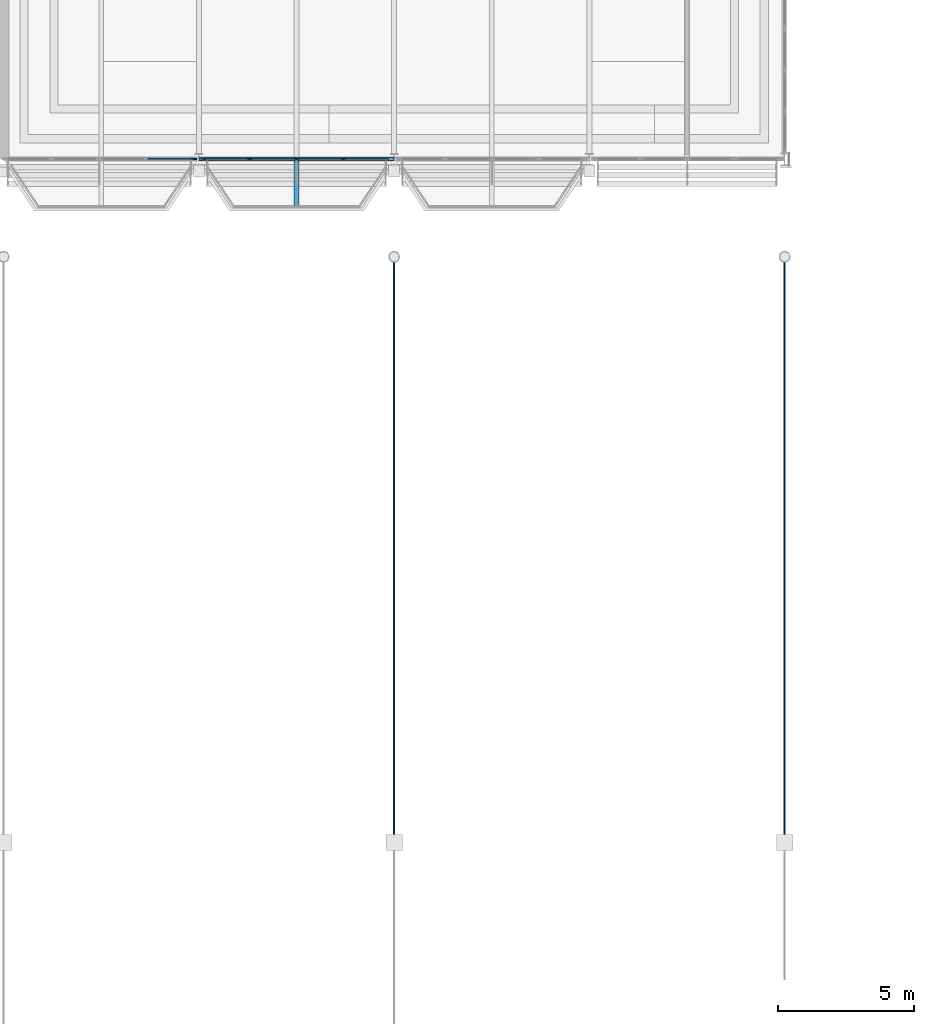
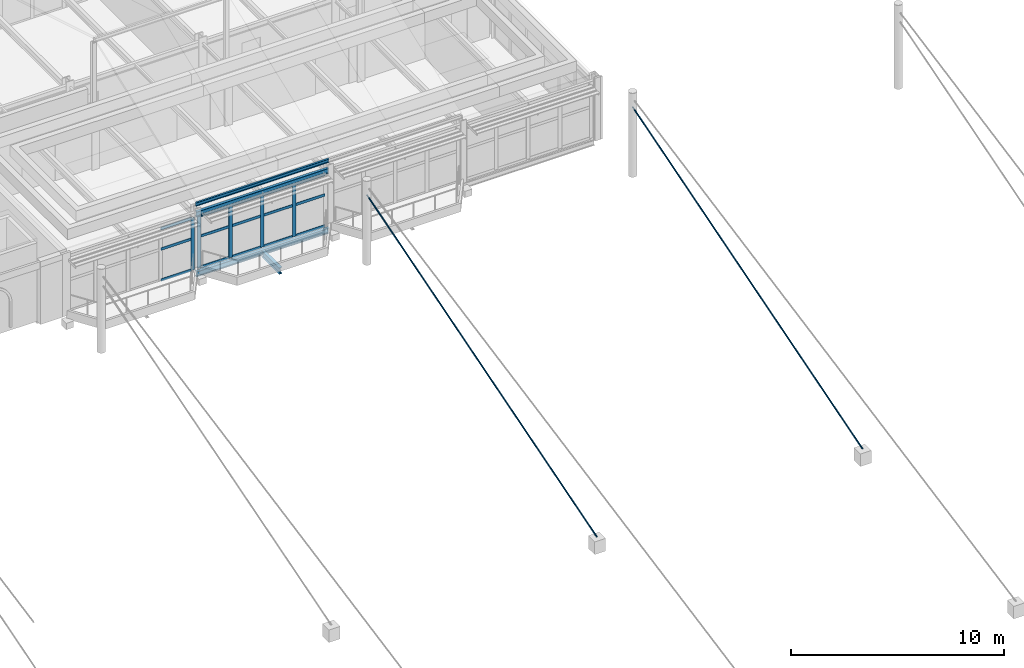
# One storey, part 33 of 68: 22 members, 4 beams, 2 elements without a shape of their own.
"""IFC4 building model written with IfcOpenShell, lengths in metres."""

import ifcopenshell
import ifcopenshell.guid

model = None  # the IFC model being written
_history = None  # IfcOwnerHistory: only IFC2X3 demands one
_inside = {}  # id of a spatial element -> (the spatial element, [elements in it])
_under = {}  # id of a project, library or spatial element -> (it, [spatial elements below it])
_declared = {}  # id of a project -> (the project, [libraries it declares])
_typed = {}  # id of a type object -> (the type object, [elements of that type])
_made_of = {}  # id of a material, layer set ... -> (it, [elements and type objects made of it])


def new_model(schema):
    """Start an empty IFC model of exactly this schema.

    Asked for "IFC4X3", IfcOpenShell would pick the latest addendum, in which some entities
    have other attributes; the version numbers below select the first issue.
    IFC2X3 requires an IfcOwnerHistory on every rooted entity: one is made here for all.
    """
    global model, _history
    if schema == "IFC4X3":
        model = ifcopenshell.file(schema_version=(4, 3, 0, 0))
    else:
        model = ifcopenshell.file(schema=schema)
    _inside.clear()
    _under.clear()
    _declared.clear()
    _typed.clear()
    _made_of.clear()
    _history = None
    if model.schema == "IFC2X3":
        org = make("IfcOrganization", Name="unknown")
        user = make(
            "IfcPersonAndOrganization",
            ThePerson=make("IfcPerson", FamilyName="unknown"),
            TheOrganization=org,
        )
        app = make(
            "IfcApplication",
            ApplicationDeveloper=org,
            Version="unknown",
            ApplicationFullName="unknown",
            ApplicationIdentifier="unknown",
        )
        _history = make(
            "IfcOwnerHistory",
            OwningUser=user,
            OwningApplication=app,
            ChangeAction="ADDED",
            CreationDate=0,
        )
    return model


def make(cls, **values):
    """One entity of the class cls with the attributes given. An attribute that is None is left unset."""
    return model.create_entity(
        cls, **{name: value for name, value in values.items() if value is not None}
    )


def rooted(cls, **values):
    """An entity with a GlobalId (a new one), such as an element, a storey or a relation."""
    return make(cls, GlobalId=ifcopenshell.guid.new(), OwnerHistory=_history, **values)


def si_unit(unit_type, name, prefix=None):
    """IfcSIUnit, for example si_unit("LENGTHUNIT", "METRE", prefix="MILLI")."""
    return make("IfcSIUnit", UnitType=unit_type, Prefix=prefix, Name=name)


def assignment(units):
    """IfcUnitAssignment: the units of a project."""
    return None if units is None else make("IfcUnitAssignment", Units=units)


def point(xyz):
    """IfcCartesianPoint."""
    return None if xyz is None else make("IfcCartesianPoint", Coordinates=xyz)


def direction(xyz):
    """IfcDirection."""
    return None if xyz is None else make("IfcDirection", DirectionRatios=xyz)


def frame(location, z_axis=None, x_axis=None):
    """IfcAxis2Placement3D, a coordinate frame: its origin and axes. An axis left out is left unset."""
    return make(
        "IfcAxis2Placement3D",
        Location=point(location),
        Axis=direction(z_axis),
        RefDirection=direction(x_axis),
    )


def frame_2d(location, x_axis=None):
    """IfcAxis2Placement2D, a coordinate frame in the plane: its origin and x axis."""
    return make(
        "IfcAxis2Placement2D", Location=point(location), RefDirection=direction(x_axis)
    )


def origin():
    """The frame at (0, 0, 0) with its axes left unset."""
    return frame((0.0, 0.0, 0.0))


def origin_2d():
    """The frame at (0, 0) in the plane with its x axis left unset."""
    return frame_2d((0.0, 0.0))


def place(relative_to, where):
    """IfcLocalPlacement: puts the frame where relative to a parent placement (None: the world)."""
    return make(
        "IfcLocalPlacement", PlacementRelTo=relative_to, RelativePlacement=where
    )


def context(
    kind, dimensions, precision=None, world=None, true_north=None, identifier=None
):
    """IfcGeometricRepresentationContext, for example the 3D "Model" context."""
    return make(
        "IfcGeometricRepresentationContext",
        ContextIdentifier=identifier,
        ContextType=kind,
        CoordinateSpaceDimension=dimensions,
        Precision=precision,
        WorldCoordinateSystem=world,
        TrueNorth=true_north,
    )


def subcontext(parent, identifier, kind, view, scale=None):
    """IfcGeometricRepresentationSubContext, for example "Body" below "Model"."""
    return make(
        "IfcGeometricRepresentationSubContext",
        ContextIdentifier=identifier,
        ContextType=kind,
        ParentContext=parent,
        TargetScale=scale,
        TargetView=view,
    )


def project(units=None, contexts=None):
    """IfcProject with its units and contexts."""
    return rooted(
        "IfcProject",
        Name="project",
        RepresentationContexts=contexts,
        UnitsInContext=assignment(units),
    )


def spatial(cls, under=None, at=None, **own):
    """A site, building, storey or space (cls), placed at a placement, below another one or the project."""
    s = rooted(cls, ObjectPlacement=at, **own)
    if under is not None:
        _under.setdefault(under.id(), (under, []))[1].append(s)
    return s


def profile(cls, at=None, kind="AREA", **sizes):
    """A parametric profile (cls). Its sizes go by their IFC names, for example OverallWidth=200.0."""
    return make(cls, ProfileType=kind, Position=at, **sizes)


def rectangle(**sizes):
    """IfcRectangleProfileDef."""
    return profile("IfcRectangleProfileDef", **sizes)


def circle(**sizes):
    """IfcCircleProfileDef."""
    return profile("IfcCircleProfileDef", **sizes)


def i_section(**sizes):
    """IfcIShapeProfileDef."""
    return profile("IfcIShapeProfileDef", **sizes)


def extrude(swept, where, along, depth):
    """IfcExtrudedAreaSolid: the profile swept, set in the frame where, extruded along a direction by depth."""
    return make(
        "IfcExtrudedAreaSolid",
        SweptArea=swept,
        Position=where,
        ExtrudedDirection=direction(along),
        Depth=depth,
    )


def shape(context_of_items, identifier, shape_type, items):
    """IfcShapeRepresentation: the items that make up one representation, for example the "Body"."""
    return make(
        "IfcShapeRepresentation",
        ContextOfItems=context_of_items,
        RepresentationIdentifier=identifier,
        RepresentationType=shape_type,
        Items=items,
    )


def material(Name=None, Category=None):
    """IfcMaterial."""
    return make("IfcMaterial", Name=Name, Category=Category)


def material_profile(
    of_material, cross_section, Name=None, Category=None, Priority=None
):
    """IfcMaterialProfile: a cross section and its material."""
    return make(
        "IfcMaterialProfile",
        Name=Name,
        Material=of_material,
        Profile=cross_section,
        Priority=Priority,
        Category=Category,
    )


def profile_set(profiles, Name=None, composite=None):
    """IfcMaterialProfileSet."""
    return make(
        "IfcMaterialProfileSet",
        Name=Name,
        MaterialProfiles=profiles,
        CompositeProfile=composite,
    )


def made_of(thing, what):
    """Note that an element or type object is made of a material, layer set ...; save() writes the relation."""
    if what is not None:
        _made_of.setdefault(what.id(), (what, []))[1].append(thing)
    return thing


def type_object(cls, material=None, **own):
    """A type object (cls), such as IfcWallType, which elements share."""
    return made_of(rooted(cls, **own), material)


def element(
    cls,
    number,
    at=None,
    inside=None,
    cuts=None,
    type_object=None,
    material=None,
    context=None,
    identifier="Body",
    shape_type=None,
    held_by="IfcProductDefinitionShape",
    body=None,
    shapes=None,
    **own,
):
    """One element of the class cls, such as IfcWall. Its Tag is "e" and its number.

    at: its placement. inside: the storey or other place that contains it. cuts: it is an
    opening in that element (IfcRelVoidsElement). A single representation is given by context,
    identifier, shape_type and body (its items); several are given by shapes. held_by: the class
    of the entity that holds the representations. save() writes the other relations.
    """
    e = rooted(cls, Tag="e%d" % number, ObjectPlacement=at, **own)
    if body is not None:
        shapes = [shape(context, identifier, shape_type, body)]
    if shapes is not None:
        e.Representation = make(held_by, Representations=shapes)
    if inside is not None:
        _inside.setdefault(inside.id(), (inside, []))[1].append(e)
    if cuts is not None:
        rooted(
            "IfcRelVoidsElement", RelatingBuildingElement=cuts, RelatedOpeningElement=e
        )
    if type_object is not None:
        _typed.setdefault(type_object.id(), (type_object, []))[1].append(e)
    return made_of(e, material)


def aggregate(whole, parts):
    """IfcRelAggregates: a whole, such as a stair, and the parts it consists of."""
    return rooted("IfcRelAggregates", RelatingObject=whole, RelatedObjects=parts)


def save(model, path):
    """Write the relations noted so far, then the file.

    IfcRelAggregates (storeys below a building ...), IfcRelContainedInSpatialStructure (elements
    in a storey), IfcRelDefinesByType, IfcRelAssociatesMaterial and IfcRelDeclares: one each for
    every whole, place, type object, material and project.
    """
    for whole, parts in _under.values():
        aggregate(whole, parts)
    for where, things in _inside.values():
        rooted(
            "IfcRelContainedInSpatialStructure",
            RelatedElements=things,
            RelatingStructure=where,
        )
    for kind, things in _typed.values():
        rooted("IfcRelDefinesByType", RelatedObjects=things, RelatingType=kind)
    for what, things in _made_of.values():
        rooted("IfcRelAssociatesMaterial", RelatedObjects=things, RelatingMaterial=what)
    for by, libraries in _declared.values():
        rooted("IfcRelDeclares", RelatingContext=by, RelatedDefinitions=libraries)
    model.write(path)


model = new_model("IFC4")

# Units and contexts
model_context = context("Model", 3, precision=1e-05, world=origin(), true_north=direction((0.0, 1.0)))
body_context = subcontext(model_context, "Body", "Model", "MODEL_VIEW")
ifc_project = project(units=[si_unit("LENGTHUNIT", "METRE"), si_unit("AREAUNIT", "SQUARE_METRE"), si_unit("VOLUMEUNIT", "CUBIC_METRE"), si_unit("PLANEANGLEUNIT", "RADIAN"), si_unit("MASSUNIT", "GRAM", prefix="KILO")], contexts=[model_context])

# Site, building, storey
site_placement = place(None, origin())
site = spatial("IfcSite", under=ifc_project, at=site_placement, CompositionType="ELEMENT")
building_placement = place(site_placement, origin())
building = spatial("IfcBuilding", under=site, at=building_placement, Name="Kupolbacken Congress Centre", CompositionType="ELEMENT")
storey_placement = place(building_placement, frame((0.0, 0.0, 25.199951171875)))
storey = spatial("IfcBuildingStorey", under=building, at=storey_placement, Name="L07", CompositionType="ELEMENT", Elevation=25.199951171875)

# Beams
ifc_material_1 = material(Name="Steel S355", Category="steel")
ifc_material_profile_1 = material_profile(ifc_material_1, i_section(OverallWidth=0.10009765625, OverallDepth=0.199951171875, WebThickness=0.005615234375, FlangeThickness=0.008544921875, FilletRadius=0.011962890625, at=origin_2d()), Name="IPE 200")
ifc_profile_set_1 = profile_set([ifc_material_profile_1], Name="Steel S355")
beam_type_1 = type_object("IfcBeamType", Name="B01 beam IPE 200", PredefinedType="BEAM", material=ifc_profile_set_1)
beam_1_placement = place(storey_placement, frame((115.199951171875, 122.39990234375, 3.699951171875), z_axis=(1.0, 0.0, 0.0), x_axis=(0.0, 1.0, 0.0)))
element("IfcBeam", 1, at=beam_1_placement, inside=storey, type_object=beam_type_1, Name="E/T/roof/R2/low0", PredefinedType="BEAM", context=body_context, shape_type="SweptSolid", body=[
    extrude(i_section(OverallWidth=0.10009765625, OverallDepth=0.199951171875, WebThickness=0.005615234375, FlangeThickness=0.008544921875, FilletRadius=0.011962890625, at=origin_2d()), origin(), (0.0, 0.0, 1.0), 7.199951171875),
])
ifc_material_2 = material(Name="Steel S355", Category="steel")
ifc_material_profile_2 = material_profile(ifc_material_2, i_section(OverallWidth=0.14990234375, OverallDepth=0.300048828125, WebThickness=0.007080078125, FlangeThickness=0.0107421875, FilletRadius=0.014892578125, at=origin_2d()), Name="IPE 300")
ifc_profile_set_2 = profile_set([ifc_material_profile_2], Name="Steel S355")
beam_type_2 = type_object("IfcBeamType", Name="B04 beam IPE 300", PredefinedType="BEAM", material=ifc_profile_set_2)
for number, where, z_axis, x_axis, name in (
    (2, (115.21044921875, 122.39990234375, -0.2900390625), (1.0, 0.0, 0.0), (0.0, 1.0, 0.0), "S/floor/T/L07/R006"),
    (3, (115.21044921875, 122.39990234375, 3.14013671875), (1.0, 0.0, 0.0), (0.0, 1.0, 0.0), "S/floor/T/ROOF/R006"),
):
    element("IfcBeam", number, at=place(storey_placement, frame(where, z_axis=z_axis, x_axis=x_axis)), inside=storey, type_object=beam_type_2, Name=name, PredefinedType="BEAM", context=body_context, shape_type="SweptSolid", body=[
        extrude(i_section(OverallWidth=0.14990234375, OverallDepth=0.300048828125, WebThickness=0.007080078125, FlangeThickness=0.0107421875, FilletRadius=0.014892578125, at=origin_2d()), origin(), (0.0, 0.0, 1.0), 7.178955078125),
    ])
ifc_material_3 = material(Name="Steel S355", Category="steel")
ifc_material_profile_3 = material_profile(ifc_material_3, i_section(OverallWidth=0.169921875, OverallDepth=0.360107421875, WebThickness=0.008056640625, FlangeThickness=0.0126953125, FilletRadius=0.01806640625, at=origin_2d()), Name="IPE 360")
ifc_profile_set_3 = profile_set([ifc_material_profile_3], Name="Steel S355")
beam_type_3 = type_object("IfcBeamType", Name="B06 beam IPE 360", PredefinedType="BEAM", material=ifc_profile_set_3)
beam_2_placement = place(storey_placement, frame((118.800048828125, 122.324951171875, -0.320068359375), z_axis=(0.0, -1.0, 0.0), x_axis=(1.0, 0.0, 0.0)))
element("IfcBeam", 4, at=beam_2_placement, inside=storey, type_object=beam_type_3, Name="S/floor/T/L07/C091", PredefinedType="BEAM", context=body_context, shape_type="SweptSolid", body=[
    extrude(i_section(OverallWidth=0.169921875, OverallDepth=0.360107421875, WebThickness=0.008056640625, FlangeThickness=0.0126953125, FilletRadius=0.01806640625, at=origin_2d()), origin(), (0.0, 0.0, 1.0), 1.6650390625),
])

# Members
ifc_material_4 = material(Name="Steel S355", Category="steel")
ifc_material_profile_4 = material_profile(ifc_material_4, circle(Radius=0.0400390625, at=origin_2d()), Name="RB 80")
ifc_profile_set_4 = profile_set([ifc_material_profile_4], Name="Steel S355")
member_type_1 = type_object("IfcMemberType", Name="M23 roof stay round bar 80", PredefinedType="BRACE", material=ifc_profile_set_4)
for number, where, z_axis, x_axis, name in (
    (5, (122.39990234375, 118.800048828125, 3.900146484375), (0.0, -0.957459747769, -0.288566857769), (1.0, 0.0, 0.0), "Roof stay M3N.1"),
    (6, (136.800048828125, 118.800048828125, 3.900146484375), (0.0, -0.957459747769, -0.288566857769), (1.0, 0.0, 0.0), "Roof stay M4N.1"),
):
    element("IfcMember", number, at=place(storey_placement, frame(where, z_axis=z_axis, x_axis=x_axis)), inside=storey, type_object=member_type_1, Name=name, PredefinedType="BRACE", context=body_context, shape_type="SweptSolid", body=[
        extrude(circle(Radius=0.0400390625, at=origin_2d()), origin(), (0.0, 0.0, 1.0), 22.559814453125),
    ])

# Curtain wall, member
ifc_material_5 = material(Name="Aluminium mullion-transom frame with glass", Category="aluminium")
curtain_wall_type = type_object("IfcCurtainWallType", Name="CW1 curtain wall 7200x3600", PredefinedType="NOTDEFINED", material=ifc_material_5)
curtain_wall_1_placement = place(storey_placement, origin())
curtain_wall_1 = element("IfcCurtainWall", 7, at=curtain_wall_1_placement, inside=storey, type_object=curtain_wall_type, Name="E/T/S/L07/117/g0", PredefinedType="NOTDEFINED")
ifc_material_6 = material(Name="Aluminium alloy", Category="aluminium")
ifc_material_profile_5 = material_profile(ifc_material_6, rectangle(XDim=0.050048828125, YDim=0.199951171875, at=origin_2d()), Name="50 x 200")
ifc_profile_set_5 = profile_set([ifc_material_profile_5], Name="Aluminium alloy")
member_type_2 = type_object("IfcMemberType", Name="MU2 mullion 50x200", PredefinedType="MULLION", material=ifc_profile_set_5)
member_1_placement = place(storey_placement, frame((115.021484375, 122.39990234375, 0.0), z_axis=(0.0, 0.0, 1.0), x_axis=(0.0, 1.0, 0.0)))
member_1 = element("IfcMember", 8, at=member_1_placement, type_object=member_type_2, Name="CW1 mullion 5", PredefinedType="MULLION", context=body_context, shape_type="SweptSolid", body=[
    extrude(rectangle(XDim=0.050048828125, YDim=0.199951171875, at=origin_2d()), origin(), (0.0, 0.0, 1.0), 2.989990234375),
])

# Curtain wall, members
curtain_wall_2_placement = place(storey_placement, origin())
curtain_wall_2 = element("IfcCurtainWall", 9, at=curtain_wall_2_placement, inside=storey, type_object=curtain_wall_type, Name="E/T/S/L07/118/g0", PredefinedType="NOTDEFINED")
member_2_placement = place(storey_placement, frame((115.37841796875, 122.39990234375, 0.0), z_axis=(0.0, 0.0, 1.0), x_axis=(0.0, 1.0, 0.0)))
member_2 = element("IfcMember", 10, at=member_2_placement, type_object=member_type_2, Name="CW1 mullion 1", PredefinedType="MULLION", context=body_context, shape_type="SweptSolid", body=[
    extrude(rectangle(XDim=0.050048828125, YDim=0.199951171875, at=origin_2d()), origin(), (0.0, 0.0, 1.0), 2.989990234375),
])
member_3_placement = place(storey_placement, frame((117.07666015625, 122.39990234375, 0.0), z_axis=(0.0, 0.0, 1.0), x_axis=(0.0, 1.0, 0.0)))
member_3 = element("IfcMember", 11, at=member_3_placement, type_object=member_type_2, Name="CW1 mullion 2", PredefinedType="MULLION", context=body_context, shape_type="SweptSolid", body=[
    extrude(rectangle(XDim=0.050048828125, YDim=0.199951171875, at=origin_2d()), origin(), (0.0, 0.0, 1.0), 2.989990234375),
])
member_4_placement = place(storey_placement, frame((118.800048828125, 122.39990234375, 0.0), z_axis=(0.0, 0.0, 1.0), x_axis=(0.0, 1.0, 0.0)))
member_4 = element("IfcMember", 12, at=member_4_placement, type_object=member_type_2, Name="CW1 mullion 3", PredefinedType="MULLION", context=body_context, shape_type="SweptSolid", body=[
    extrude(rectangle(XDim=0.050048828125, YDim=0.199951171875, at=origin_2d()), origin(), (0.0, 0.0, 1.0), 2.989990234375),
])
member_5_placement = place(storey_placement, frame((120.523193359375, 122.39990234375, 0.0), z_axis=(0.0, 0.0, 1.0), x_axis=(0.0, 1.0, 0.0)))
member_5 = element("IfcMember", 13, at=member_5_placement, type_object=member_type_2, Name="CW1 mullion 4", PredefinedType="MULLION", context=body_context, shape_type="SweptSolid", body=[
    extrude(rectangle(XDim=0.050048828125, YDim=0.199951171875, at=origin_2d()), origin(), (0.0, 0.0, 1.0), 2.989990234375),
])

# Member
ifc_material_7 = material(Name="Aluminium alloy", Category="aluminium")
ifc_material_profile_6 = material_profile(ifc_material_7, rectangle(XDim=0.050048828125, YDim=0.14990234375, at=origin_2d()), Name="50 x 150")
ifc_profile_set_6 = profile_set([ifc_material_profile_6], Name="Aluminium alloy")
member_type_3 = type_object("IfcMemberType", Name="TR2 transom 50x150", PredefinedType="MULLION", material=ifc_profile_set_6)
member_6_placement = place(storey_placement, frame((113.309814453125, 122.39990234375, 0.025146484375), z_axis=(1.0, 0.0, 0.0), x_axis=(0.0, 1.0, 0.0)))
member_6 = element("IfcMember", 14, at=member_6_placement, type_object=member_type_3, Name="CW1 transom 4.1", PredefinedType="MULLION", context=body_context, shape_type="SweptSolid", body=[
    extrude(rectangle(XDim=0.050048828125, YDim=0.14990234375, at=origin_2d()), origin(), (0.0, 0.0, 1.0), 1.686767578125),
])

member_7_placement = place(storey_placement, frame((113.309814453125, 122.39990234375, 1.800048828125), z_axis=(1.0, 0.0, 0.0), x_axis=(0.0, 1.0, 0.0)))
member_7 = element("IfcMember", 15, at=member_7_placement, type_object=member_type_3, Name="CW1 transom 4.2", PredefinedType="MULLION", context=body_context, shape_type="SweptSolid", body=[
    extrude(rectangle(XDim=0.050048828125, YDim=0.14990234375, at=origin_2d()), origin(), (0.0, 0.0, 1.0), 1.686767578125),
])

member_8_placement = place(storey_placement, frame((113.309814453125, 122.39990234375, 2.965087890625), z_axis=(1.0, 0.0, 0.0), x_axis=(0.0, 1.0, 0.0)))
member_8 = element("IfcMember", 16, at=member_8_placement, type_object=member_type_3, Name="CW1 transom 4.3", PredefinedType="MULLION", context=body_context, shape_type="SweptSolid", body=[
    extrude(rectangle(XDim=0.050048828125, YDim=0.14990234375, at=origin_2d()), origin(), (0.0, 0.0, 1.0), 1.686767578125),
])

aggregate(curtain_wall_1, [member_1, member_6, member_7, member_8])

member_9_placement = place(storey_placement, frame((115.403564453125, 122.39990234375, 0.025146484375), z_axis=(1.0, 0.0, 0.0), x_axis=(0.0, 1.0, 0.0)))
member_9 = element("IfcMember", 17, at=member_9_placement, type_object=member_type_3, Name="CW1 transom 1.1", PredefinedType="MULLION", context=body_context, shape_type="SweptSolid", body=[
    extrude(rectangle(XDim=0.050048828125, YDim=0.14990234375, at=origin_2d()), origin(), (0.0, 0.0, 1.0), 1.648193359375),
])

member_10_placement = place(storey_placement, frame((115.403564453125, 122.39990234375, 1.800048828125), z_axis=(1.0, 0.0, 0.0), x_axis=(0.0, 1.0, 0.0)))
member_10 = element("IfcMember", 18, at=member_10_placement, type_object=member_type_3, Name="CW1 transom 1.2", PredefinedType="MULLION", context=body_context, shape_type="SweptSolid", body=[
    extrude(rectangle(XDim=0.050048828125, YDim=0.14990234375, at=origin_2d()), origin(), (0.0, 0.0, 1.0), 1.648193359375),
])

member_11_placement = place(storey_placement, frame((115.403564453125, 122.39990234375, 2.965087890625), z_axis=(1.0, 0.0, 0.0), x_axis=(0.0, 1.0, 0.0)))
member_11 = element("IfcMember", 19, at=member_11_placement, type_object=member_type_3, Name="CW1 transom 1.3", PredefinedType="MULLION", context=body_context, shape_type="SweptSolid", body=[
    extrude(rectangle(XDim=0.050048828125, YDim=0.14990234375, at=origin_2d()), origin(), (0.0, 0.0, 1.0), 1.648193359375),
])

member_12_placement = place(storey_placement, frame((117.101806640625, 122.39990234375, 0.025146484375), z_axis=(1.0, 0.0, 0.0), x_axis=(0.0, 1.0, 0.0)))
member_12 = element("IfcMember", 20, at=member_12_placement, type_object=member_type_3, Name="CW1 transom 2.1", PredefinedType="MULLION", context=body_context, shape_type="SweptSolid", body=[
    extrude(rectangle(XDim=0.050048828125, YDim=0.14990234375, at=origin_2d()), origin(), (0.0, 0.0, 1.0), 1.673095703125),
])

member_13_placement = place(storey_placement, frame((117.101806640625, 122.39990234375, 1.800048828125), z_axis=(1.0, 0.0, 0.0), x_axis=(0.0, 1.0, 0.0)))
member_13 = element("IfcMember", 21, at=member_13_placement, type_object=member_type_3, Name="CW1 transom 2.2", PredefinedType="MULLION", context=body_context, shape_type="SweptSolid", body=[
    extrude(rectangle(XDim=0.050048828125, YDim=0.14990234375, at=origin_2d()), origin(), (0.0, 0.0, 1.0), 1.673095703125),
])

member_14_placement = place(storey_placement, frame((117.101806640625, 122.39990234375, 2.965087890625), z_axis=(1.0, 0.0, 0.0), x_axis=(0.0, 1.0, 0.0)))
member_14 = element("IfcMember", 22, at=member_14_placement, type_object=member_type_3, Name="CW1 transom 2.3", PredefinedType="MULLION", context=body_context, shape_type="SweptSolid", body=[
    extrude(rectangle(XDim=0.050048828125, YDim=0.14990234375, at=origin_2d()), origin(), (0.0, 0.0, 1.0), 1.673095703125),
])

member_15_placement = place(storey_placement, frame((118.824951171875, 122.39990234375, 0.025146484375), z_axis=(1.0, 0.0, 0.0), x_axis=(0.0, 1.0, 0.0)))
member_15 = element("IfcMember", 23, at=member_15_placement, type_object=member_type_3, Name="CW1 transom 3.1", PredefinedType="MULLION", context=body_context, shape_type="SweptSolid", body=[
    extrude(rectangle(XDim=0.050048828125, YDim=0.14990234375, at=origin_2d()), origin(), (0.0, 0.0, 1.0), 1.67333984375),
])

member_16_placement = place(storey_placement, frame((118.824951171875, 122.39990234375, 1.800048828125), z_axis=(1.0, 0.0, 0.0), x_axis=(0.0, 1.0, 0.0)))
member_16 = element("IfcMember", 24, at=member_16_placement, type_object=member_type_3, Name="CW1 transom 3.2", PredefinedType="MULLION", context=body_context, shape_type="SweptSolid", body=[
    extrude(rectangle(XDim=0.050048828125, YDim=0.14990234375, at=origin_2d()), origin(), (0.0, 0.0, 1.0), 1.67333984375),
])

member_17_placement = place(storey_placement, frame((118.824951171875, 122.39990234375, 2.965087890625), z_axis=(1.0, 0.0, 0.0), x_axis=(0.0, 1.0, 0.0)))
member_17 = element("IfcMember", 25, at=member_17_placement, type_object=member_type_3, Name="CW1 transom 3.3", PredefinedType="MULLION", context=body_context, shape_type="SweptSolid", body=[
    extrude(rectangle(XDim=0.050048828125, YDim=0.14990234375, at=origin_2d()), origin(), (0.0, 0.0, 1.0), 1.67333984375),
])

member_18_placement = place(storey_placement, frame((120.54833984375, 122.39990234375, 0.025146484375), z_axis=(1.0, 0.0, 0.0), x_axis=(0.0, 1.0, 0.0)))
member_18 = element("IfcMember", 26, at=member_18_placement, type_object=member_type_3, Name="CW1 transom 4.1", PredefinedType="MULLION", context=body_context, shape_type="SweptSolid", body=[
    extrude(rectangle(XDim=0.050048828125, YDim=0.14990234375, at=origin_2d()), origin(), (0.0, 0.0, 1.0), 1.648193359375),
])

member_19_placement = place(storey_placement, frame((120.54833984375, 122.39990234375, 1.800048828125), z_axis=(1.0, 0.0, 0.0), x_axis=(0.0, 1.0, 0.0)))
member_19 = element("IfcMember", 27, at=member_19_placement, type_object=member_type_3, Name="CW1 transom 4.2", PredefinedType="MULLION", context=body_context, shape_type="SweptSolid", body=[
    extrude(rectangle(XDim=0.050048828125, YDim=0.14990234375, at=origin_2d()), origin(), (0.0, 0.0, 1.0), 1.648193359375),
])

member_20_placement = place(storey_placement, frame((120.54833984375, 122.39990234375, 2.965087890625), z_axis=(1.0, 0.0, 0.0), x_axis=(0.0, 1.0, 0.0)))
member_20 = element("IfcMember", 28, at=member_20_placement, type_object=member_type_3, Name="CW1 transom 4.3", PredefinedType="MULLION", context=body_context, shape_type="SweptSolid", body=[
    extrude(rectangle(XDim=0.050048828125, YDim=0.14990234375, at=origin_2d()), origin(), (0.0, 0.0, 1.0), 1.648193359375),
])

aggregate(curtain_wall_2, [member_2, member_3, member_4, member_5, member_9, member_10, member_11, member_12, member_13, member_14, member_15, member_16, member_17, member_18, member_19, member_20])

save(model, "model.ifc")
